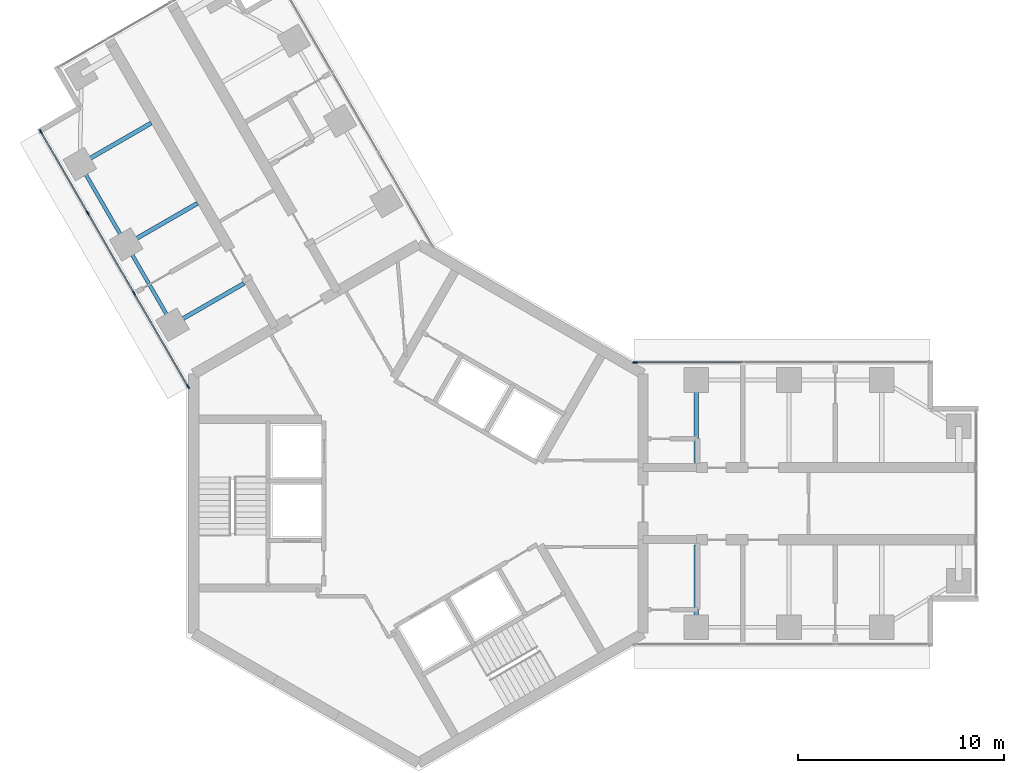
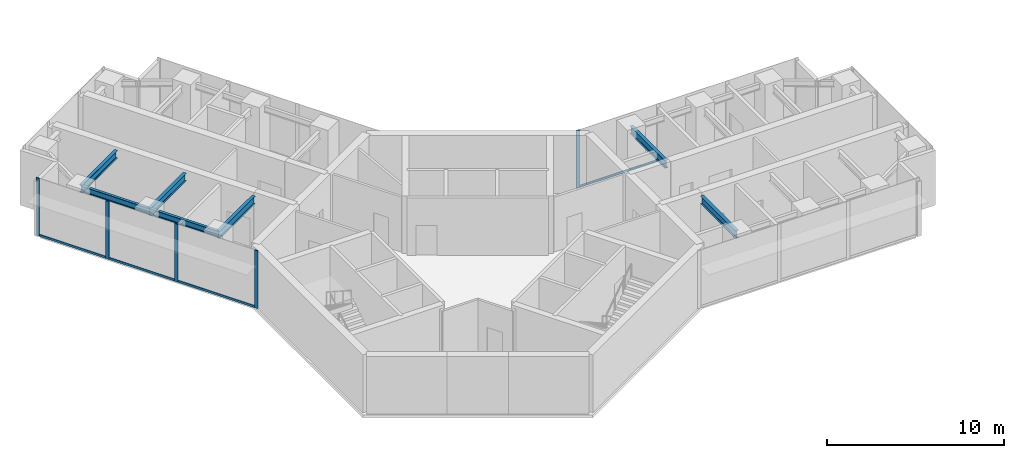
# One storey, part 5 of 17: 9 members, 7 beams, 2 elements without a shape of their own.
"""IFC4 building model written with IfcOpenShell, lengths in metres."""

from ifc_helpers import new_model, si_unit, direction, frame, origin, origin_2d, place, context, subcontext, project, spatial, rectangle, i_section, extrude, material, material_profile, profile_set, type_object, element, aggregate, save


model = new_model("IFC4")

# Units and contexts
model_context = context("Model", 3, precision=1e-05, world=origin(), true_north=direction((0.0, 1.0)))
body_context = subcontext(model_context, "Body", "Model", "MODEL_VIEW")
ifc_project = project(units=[si_unit("LENGTHUNIT", "METRE"), si_unit("AREAUNIT", "SQUARE_METRE"), si_unit("VOLUMEUNIT", "CUBIC_METRE"), si_unit("PLANEANGLEUNIT", "RADIAN"), si_unit("MASSUNIT", "GRAM", prefix="KILO")], contexts=[model_context])

# Site, building, storey
site_placement = place(None, origin())
site = spatial("IfcSite", under=ifc_project, at=site_placement, CompositionType="ELEMENT")
building_placement = place(site_placement, origin())
building = spatial("IfcBuilding", under=site, at=building_placement, Name="Upepo Twin Towers", CompositionType="ELEMENT")
storey_placement = place(building_placement, frame((0.0, 0.0, 190.5)))
storey = spatial("IfcBuildingStorey", under=building, at=storey_placement, Name="L46", CompositionType="ELEMENT", Elevation=190.5)

# Beams
ifc_material_1 = material(Name="Steel S355", Category="steel")
ifc_material_profile_1 = material_profile(ifc_material_1, i_section(OverallWidth=0.177978515625, OverallDepth=0.406494140625, WebThickness=0.0078125, FlangeThickness=0.0126953125, FilletRadius=0.01025390625, at=origin_2d()), Name="UB 406x178x60")
ifc_profile_set_1 = profile_set([ifc_material_profile_1], Name="Steel S355")
beam_type_1 = type_object("IfcBeamType", Name="Beam UB 406x178x60", PredefinedType="BEAM", material=ifc_profile_set_1)
beam_1_placement = place(storey_placement, frame((-11.946044921875, 8.69140625, 3.5966796875), z_axis=(-0.500013631625, 0.866017533419, 0.0), x_axis=(-0.866017533419, -0.500013631625, 0.0)))
element("IfcBeam", 1, at=beam_1_placement, inside=storey, type_object=beam_type_1, Name="T1 edge beam BL 13.5-18.0", PredefinedType="BEAM", context=body_context, shape_type="SweptSolid", body=[
    extrude(i_section(OverallWidth=0.177978515625, OverallDepth=0.406494140625, WebThickness=0.0078125, FlangeThickness=0.0126953125, FilletRadius=0.01025390625, at=origin_2d()), origin(), (0.0, 0.0, 1.0), 4.499755859375),
])
beam_2_placement = place(storey_placement, frame((-14.196044921875, 12.58837890625, 3.5966796875), z_axis=(-0.499990139034, 0.866031096941, 0.0), x_axis=(-0.866031096941, -0.499990139034, 0.0)))
element("IfcBeam", 2, at=beam_2_placement, inside=storey, type_object=beam_type_1, Name="T1 edge beam BL 18.0-22.5", PredefinedType="BEAM", context=body_context, shape_type="SweptSolid", body=[
    extrude(i_section(OverallWidth=0.177978515625, OverallDepth=0.406494140625, WebThickness=0.0078125, FlangeThickness=0.0126953125, FilletRadius=0.01025390625, at=origin_2d()), origin(), (0.0, 0.0, 1.0), 4.5),
])
ifc_material_2 = material(Name="Steel S355", Category="steel")
ifc_material_profile_2 = material_profile(ifc_material_2, i_section(OverallWidth=0.209228515625, OverallDepth=0.533203125, WebThickness=0.010009765625, FlangeThickness=0.015625, FilletRadius=0.0126953125, at=origin_2d()), Name="UB 533x210x92")
ifc_profile_set_2 = profile_set([ifc_material_profile_2], Name="Steel S355")
beam_type_2 = type_object("IfcBeamType", Name="Beam UB 533x210x92", PredefinedType="BEAM", material=ifc_profile_set_2)
for number, where, z_axis, x_axis, name in (
    (3, (13.5, 6.0, 3.533447265625), (0.0, -1.0, 0.0), (1.0, 0.0, 0.0), "T1 girder AL at 13.5"),
    (4, (13.5, -6.0, 3.533447265625), (0.0, 1.0, 0.0), (-1.0, 0.0, 0.0), "T1 girder AR at 13.5"),
    (5, (-11.946044921875, 8.69140625, 3.533447265625), (0.866026010844, 0.49999894854, 0.0), (-0.49999894854, 0.866026010844, 0.0), "T1 girder BL at 13.5"),
    (6, (-14.196044921875, 12.58837890625, 3.533447265625), (0.866026010844, 0.49999894854, 0.0), (-0.49999894854, 0.866026010844, 0.0), "T1 girder BL at 18.0"),
    (7, (-16.446044921875, 16.485595703125, 3.533447265625), (0.866026010844, 0.49999894854, 0.0), (-0.49999894854, 0.866026010844, 0.0), "T1 girder BL at 22.5"),
):
    element("IfcBeam", number, at=place(storey_placement, frame(where, z_axis=z_axis, x_axis=x_axis)), inside=storey, type_object=beam_type_2, Name=name, PredefinedType="BEAM", context=body_context, shape_type="SweptSolid", body=[
        extrude(i_section(OverallWidth=0.209228515625, OverallDepth=0.533203125, WebThickness=0.010009765625, FlangeThickness=0.015625, FilletRadius=0.0126953125, at=origin_2d()), origin(), (0.0, 0.0, 1.0), 4.0),
    ])

# Curtain wall, member
ifc_material_3 = material(Name="Aluminium and fritted glass", Category="aluminium")
curtain_wall_type = type_object("IfcCurtainWallType", Name="Tower curtain wall TW3, fritted glass", PredefinedType="NOTDEFINED", material=ifc_material_3)
curtain_wall_1_placement = place(storey_placement, origin())
curtain_wall_1 = element("IfcCurtainWall", 8, at=curtain_wall_1_placement, inside=storey, type_object=curtain_wall_type, Name="T1 L46 wing A flank L curtain wall", PredefinedType="NOTDEFINED")
ifc_material_4 = material(Name="Aluminium mullion", Category="aluminium")
ifc_material_profile_3 = material_profile(ifc_material_4, rectangle(XDim=0.06494140625, YDim=0.22509765625, at=origin_2d()), Name="MULLION 65x225")
ifc_profile_set_3 = profile_set([ifc_material_profile_3], Name="Aluminium mullion")
member_type_1 = type_object("IfcMemberType", Name="Mullion 65x225 TW3", PredefinedType="MULLION", material=ifc_profile_set_3)
member_1_placement = place(storey_placement, frame((10.51953125, 6.85009765625, 0.0), z_axis=(0.0, 0.0, 1.0), x_axis=(0.0, 1.0, 0.0)))
member_1 = element("IfcMember", 9, at=member_1_placement, type_object=member_type_1, Name="T1 L46 wing A flank L curtain wall mullion 1", PredefinedType="MULLION", context=body_context, shape_type="SweptSolid", body=[
    extrude(rectangle(XDim=0.06494140625, YDim=0.22509765625, at=origin_2d()), origin(), (0.0, 0.0, 1.0), 4.0),
])

# Curtain wall, members
curtain_wall_2_placement = place(storey_placement, origin())
curtain_wall_2 = element("IfcCurtainWall", 10, at=curtain_wall_2_placement, inside=storey, type_object=curtain_wall_type, Name="T1 L46 wing B flank L curtain wall", PredefinedType="NOTDEFINED")
member_2_placement = place(storey_placement, frame((-11.192138671875, 5.685302734375, 0.0), z_axis=(0.0, 0.0, 1.0), x_axis=(-0.866025388469, -0.500000026527, 0.0)))
member_2 = element("IfcMember", 11, at=member_2_placement, type_object=member_type_1, Name="T1 L46 wing B flank L curtain wall mullion 1", PredefinedType="MULLION", context=body_context, shape_type="SweptSolid", body=[
    extrude(rectangle(XDim=0.06494140625, YDim=0.22509765625, at=origin_2d()), origin(), (0.0, 0.0, 1.0), 4.0),
])
member_3_placement = place(storey_placement, frame((-13.807373046875, 10.21484375, 0.0), z_axis=(0.0, 0.0, 1.0), x_axis=(-0.866025388469, -0.500000026527, 0.0)))
member_3 = element("IfcMember", 12, at=member_3_placement, type_object=member_type_1, Name="T1 L46 wing B flank L curtain wall mullion 2", PredefinedType="MULLION", context=body_context, shape_type="SweptSolid", body=[
    extrude(rectangle(XDim=0.06494140625, YDim=0.22509765625, at=origin_2d()), origin(), (0.0, 0.0, 1.0), 4.0),
])
member_4_placement = place(storey_placement, frame((-16.057373046875, 14.112060546875, 0.0), z_axis=(0.0, 0.0, 1.0), x_axis=(-0.866025388469, -0.500000026527, 0.0)))
member_4 = element("IfcMember", 13, at=member_4_placement, type_object=member_type_1, Name="T1 L46 wing B flank L curtain wall mullion 3", PredefinedType="MULLION", context=body_context, shape_type="SweptSolid", body=[
    extrude(rectangle(XDim=0.06494140625, YDim=0.22509765625, at=origin_2d()), origin(), (0.0, 0.0, 1.0), 4.0),
])
member_5_placement = place(storey_placement, frame((-18.341064453125, 18.067626953125, 0.0), z_axis=(0.0, 0.0, 1.0), x_axis=(-0.866025388469, -0.500000026527, 0.0)))
member_5 = element("IfcMember", 14, at=member_5_placement, type_object=member_type_1, Name="T1 L46 wing B flank L curtain wall mullion 4", PredefinedType="MULLION", context=body_context, shape_type="SweptSolid", body=[
    extrude(rectangle(XDim=0.06494140625, YDim=0.22509765625, at=origin_2d()), origin(), (0.0, 0.0, 1.0), 4.0),
])

# Member
ifc_material_5 = material(Name="Aluminium transom", Category="aluminium")
ifc_material_profile_4 = material_profile(ifc_material_5, rectangle(XDim=0.06494140625, YDim=0.14990234375, at=origin_2d()), Name="TRANSOM 65x150")
ifc_profile_set_4 = profile_set([ifc_material_profile_4], Name="Aluminium transom")
member_type_2 = type_object("IfcMemberType", Name="Transom 65x150 TW3", PredefinedType="USERDEFINED", material=ifc_profile_set_4)
member_6_placement = place(storey_placement, frame((10.552001953125, 6.85009765625, 0.074951171875), z_axis=(1.0, 0.0, 0.0), x_axis=(0.0, 1.0, 0.0)))
member_6 = element("IfcMember", 15, at=member_6_placement, type_object=member_type_2, Name="T1 L46 wing A flank L curtain wall transom 1", ObjectType="TRANSOM", PredefinedType="USERDEFINED", context=body_context, shape_type="SweptSolid", body=[
    extrude(rectangle(XDim=0.06494140625, YDim=0.14990234375, at=origin_2d()), origin(), (0.0, 0.0, 1.0), 5.16552734375),
])

aggregate(curtain_wall_1, [member_1, member_6])

member_7_placement = place(storey_placement, frame((-11.208251953125, 5.71337890625, 0.074951171875), z_axis=(-0.500007480159, 0.86602108507, 0.0), x_axis=(-0.86602108507, -0.500007480159, 0.0)))
member_7 = element("IfcMember", 16, at=member_7_placement, type_object=member_type_2, Name="T1 L46 wing B flank L curtain wall transom 1", ObjectType="TRANSOM", PredefinedType="USERDEFINED", context=body_context, shape_type="SweptSolid", body=[
    extrude(rectangle(XDim=0.06494140625, YDim=0.14990234375, at=origin_2d()), origin(), (0.0, 0.0, 1.0), 5.16552734375),
])

member_8_placement = place(storey_placement, frame((-13.823486328125, 10.2431640625, 0.074951171875), z_axis=(-0.500005184116, 0.866022410713, 0.0), x_axis=(-0.866022410713, -0.500005184116, 0.0)))
member_8 = element("IfcMember", 17, at=member_8_placement, type_object=member_type_2, Name="T1 L46 wing B flank L curtain wall transom 2", ObjectType="TRANSOM", PredefinedType="USERDEFINED", context=body_context, shape_type="SweptSolid", body=[
    extrude(rectangle(XDim=0.06494140625, YDim=0.14990234375, at=origin_2d()), origin(), (0.0, 0.0, 1.0), 4.43505859375),
])

member_9_placement = place(storey_placement, frame((-16.073486328125, 14.14013671875, 0.074951171875), z_axis=(-0.499982167615, 0.866035699072, 0.0), x_axis=(-0.866035699072, -0.499982167615, 0.0)))
member_9 = element("IfcMember", 18, at=member_9_placement, type_object=member_type_2, Name="T1 L46 wing B flank L curtain wall transom 3", ObjectType="TRANSOM", PredefinedType="USERDEFINED", context=body_context, shape_type="SweptSolid", body=[
    extrude(rectangle(XDim=0.06494140625, YDim=0.14990234375, at=origin_2d()), origin(), (0.0, 0.0, 1.0), 4.502685546875),
])

aggregate(curtain_wall_2, [member_2, member_3, member_4, member_5, member_7, member_8, member_9])

save(model, "model.ifc")
